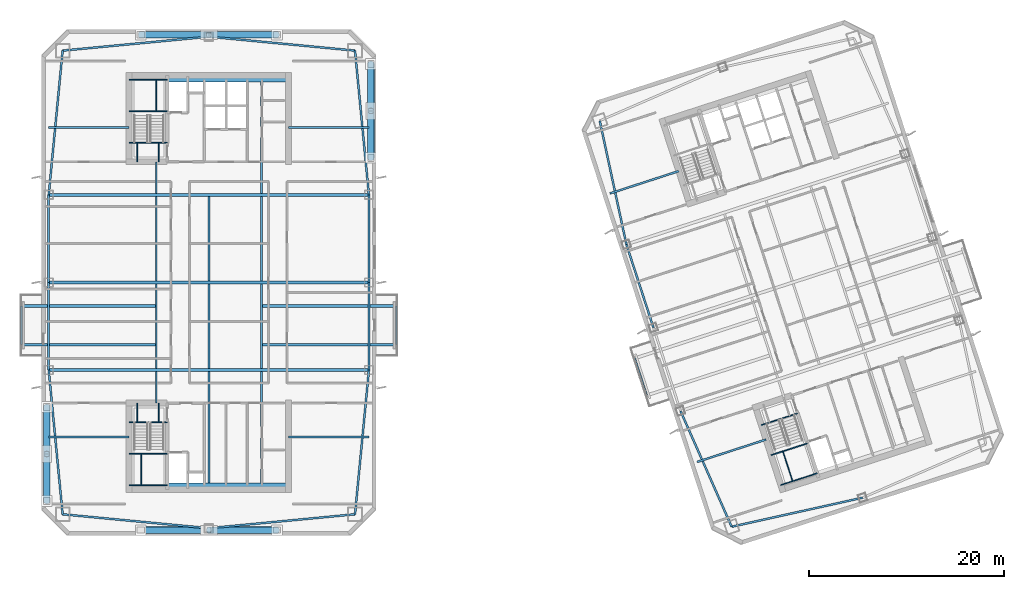
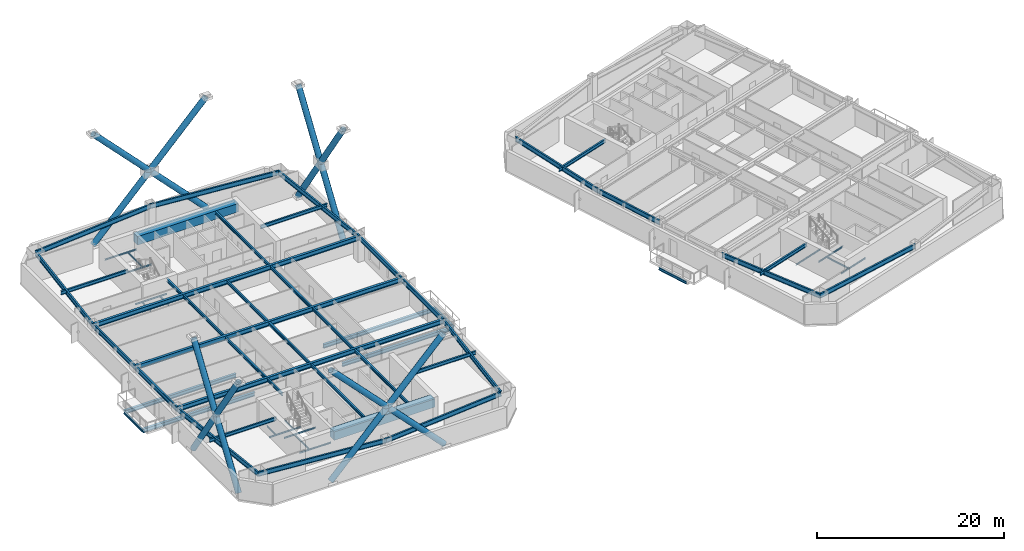
# One storey, part 3 of 18: 61 beams, 16 members.
"""IFC4 building model written with IfcOpenShell, lengths in metres."""

import ifcopenshell
import ifcopenshell.guid

model = None  # the IFC model being written
_history = None  # IfcOwnerHistory: only IFC2X3 demands one
_inside = {}  # id of a spatial element -> (the spatial element, [elements in it])
_under = {}  # id of a project, library or spatial element -> (it, [spatial elements below it])
_declared = {}  # id of a project -> (the project, [libraries it declares])
_typed = {}  # id of a type object -> (the type object, [elements of that type])
_made_of = {}  # id of a material, layer set ... -> (it, [elements and type objects made of it])


def new_model(schema):
    """Start an empty IFC model of exactly this schema.

    Asked for "IFC4X3", IfcOpenShell would pick the latest addendum, in which some entities
    have other attributes; the version numbers below select the first issue.
    IFC2X3 requires an IfcOwnerHistory on every rooted entity: one is made here for all.
    """
    global model, _history
    if schema == "IFC4X3":
        model = ifcopenshell.file(schema_version=(4, 3, 0, 0))
    else:
        model = ifcopenshell.file(schema=schema)
    _inside.clear()
    _under.clear()
    _declared.clear()
    _typed.clear()
    _made_of.clear()
    _history = None
    if model.schema == "IFC2X3":
        org = make("IfcOrganization", Name="unknown")
        user = make(
            "IfcPersonAndOrganization",
            ThePerson=make("IfcPerson", FamilyName="unknown"),
            TheOrganization=org,
        )
        app = make(
            "IfcApplication",
            ApplicationDeveloper=org,
            Version="unknown",
            ApplicationFullName="unknown",
            ApplicationIdentifier="unknown",
        )
        _history = make(
            "IfcOwnerHistory",
            OwningUser=user,
            OwningApplication=app,
            ChangeAction="ADDED",
            CreationDate=0,
        )
    return model


def make(cls, **values):
    """One entity of the class cls with the attributes given. An attribute that is None is left unset."""
    return model.create_entity(
        cls, **{name: value for name, value in values.items() if value is not None}
    )


def rooted(cls, **values):
    """An entity with a GlobalId (a new one), such as an element, a storey or a relation."""
    return make(cls, GlobalId=ifcopenshell.guid.new(), OwnerHistory=_history, **values)


def si_unit(unit_type, name, prefix=None):
    """IfcSIUnit, for example si_unit("LENGTHUNIT", "METRE", prefix="MILLI")."""
    return make("IfcSIUnit", UnitType=unit_type, Prefix=prefix, Name=name)


def assignment(units):
    """IfcUnitAssignment: the units of a project."""
    return None if units is None else make("IfcUnitAssignment", Units=units)


def point(xyz):
    """IfcCartesianPoint."""
    return None if xyz is None else make("IfcCartesianPoint", Coordinates=xyz)


def direction(xyz):
    """IfcDirection."""
    return None if xyz is None else make("IfcDirection", DirectionRatios=xyz)


def frame(location, z_axis=None, x_axis=None):
    """IfcAxis2Placement3D, a coordinate frame: its origin and axes. An axis left out is left unset."""
    return make(
        "IfcAxis2Placement3D",
        Location=point(location),
        Axis=direction(z_axis),
        RefDirection=direction(x_axis),
    )


def frame_2d(location, x_axis=None):
    """IfcAxis2Placement2D, a coordinate frame in the plane: its origin and x axis."""
    return make(
        "IfcAxis2Placement2D", Location=point(location), RefDirection=direction(x_axis)
    )


def origin():
    """The frame at (0, 0, 0) with its axes left unset."""
    return frame((0.0, 0.0, 0.0))


def origin_2d():
    """The frame at (0, 0) in the plane with its x axis left unset."""
    return frame_2d((0.0, 0.0))


def place(relative_to, where):
    """IfcLocalPlacement: puts the frame where relative to a parent placement (None: the world)."""
    return make(
        "IfcLocalPlacement", PlacementRelTo=relative_to, RelativePlacement=where
    )


def context(
    kind, dimensions, precision=None, world=None, true_north=None, identifier=None
):
    """IfcGeometricRepresentationContext, for example the 3D "Model" context."""
    return make(
        "IfcGeometricRepresentationContext",
        ContextIdentifier=identifier,
        ContextType=kind,
        CoordinateSpaceDimension=dimensions,
        Precision=precision,
        WorldCoordinateSystem=world,
        TrueNorth=true_north,
    )


def subcontext(parent, identifier, kind, view, scale=None):
    """IfcGeometricRepresentationSubContext, for example "Body" below "Model"."""
    return make(
        "IfcGeometricRepresentationSubContext",
        ContextIdentifier=identifier,
        ContextType=kind,
        ParentContext=parent,
        TargetScale=scale,
        TargetView=view,
    )


def project(units=None, contexts=None):
    """IfcProject with its units and contexts."""
    return rooted(
        "IfcProject",
        Name="project",
        RepresentationContexts=contexts,
        UnitsInContext=assignment(units),
    )


def spatial(cls, under=None, at=None, **own):
    """A site, building, storey or space (cls), placed at a placement, below another one or the project."""
    s = rooted(cls, ObjectPlacement=at, **own)
    if under is not None:
        _under.setdefault(under.id(), (under, []))[1].append(s)
    return s


def profile(cls, at=None, kind="AREA", **sizes):
    """A parametric profile (cls). Its sizes go by their IFC names, for example OverallWidth=200.0."""
    return make(cls, ProfileType=kind, Position=at, **sizes)


def rectangle(**sizes):
    """IfcRectangleProfileDef."""
    return profile("IfcRectangleProfileDef", **sizes)


def hollow_circle(**sizes):
    """IfcCircleHollowProfileDef."""
    return profile("IfcCircleHollowProfileDef", **sizes)


def i_section(**sizes):
    """IfcIShapeProfileDef."""
    return profile("IfcIShapeProfileDef", **sizes)


def extrude(swept, where, along, depth):
    """IfcExtrudedAreaSolid: the profile swept, set in the frame where, extruded along a direction by depth."""
    return make(
        "IfcExtrudedAreaSolid",
        SweptArea=swept,
        Position=where,
        ExtrudedDirection=direction(along),
        Depth=depth,
    )


def shape(context_of_items, identifier, shape_type, items):
    """IfcShapeRepresentation: the items that make up one representation, for example the "Body"."""
    return make(
        "IfcShapeRepresentation",
        ContextOfItems=context_of_items,
        RepresentationIdentifier=identifier,
        RepresentationType=shape_type,
        Items=items,
    )


def material(Name=None, Category=None):
    """IfcMaterial."""
    return make("IfcMaterial", Name=Name, Category=Category)


def material_profile(
    of_material, cross_section, Name=None, Category=None, Priority=None
):
    """IfcMaterialProfile: a cross section and its material."""
    return make(
        "IfcMaterialProfile",
        Name=Name,
        Material=of_material,
        Profile=cross_section,
        Priority=Priority,
        Category=Category,
    )


def profile_set(profiles, Name=None, composite=None):
    """IfcMaterialProfileSet."""
    return make(
        "IfcMaterialProfileSet",
        Name=Name,
        MaterialProfiles=profiles,
        CompositeProfile=composite,
    )


def made_of(thing, what):
    """Note that an element or type object is made of a material, layer set ...; save() writes the relation."""
    if what is not None:
        _made_of.setdefault(what.id(), (what, []))[1].append(thing)
    return thing


def type_object(cls, material=None, **own):
    """A type object (cls), such as IfcWallType, which elements share."""
    return made_of(rooted(cls, **own), material)


def element(
    cls,
    number,
    at=None,
    inside=None,
    cuts=None,
    type_object=None,
    material=None,
    context=None,
    identifier="Body",
    shape_type=None,
    held_by="IfcProductDefinitionShape",
    body=None,
    shapes=None,
    **own,
):
    """One element of the class cls, such as IfcWall. Its Tag is "e" and its number.

    at: its placement. inside: the storey or other place that contains it. cuts: it is an
    opening in that element (IfcRelVoidsElement). A single representation is given by context,
    identifier, shape_type and body (its items); several are given by shapes. held_by: the class
    of the entity that holds the representations. save() writes the other relations.
    """
    e = rooted(cls, Tag="e%d" % number, ObjectPlacement=at, **own)
    if body is not None:
        shapes = [shape(context, identifier, shape_type, body)]
    if shapes is not None:
        e.Representation = make(held_by, Representations=shapes)
    if inside is not None:
        _inside.setdefault(inside.id(), (inside, []))[1].append(e)
    if cuts is not None:
        rooted(
            "IfcRelVoidsElement", RelatingBuildingElement=cuts, RelatedOpeningElement=e
        )
    if type_object is not None:
        _typed.setdefault(type_object.id(), (type_object, []))[1].append(e)
    return made_of(e, material)


def aggregate(whole, parts):
    """IfcRelAggregates: a whole, such as a stair, and the parts it consists of."""
    return rooted("IfcRelAggregates", RelatingObject=whole, RelatedObjects=parts)


def save(model, path):
    """Write the relations noted so far, then the file.

    IfcRelAggregates (storeys below a building ...), IfcRelContainedInSpatialStructure (elements
    in a storey), IfcRelDefinesByType, IfcRelAssociatesMaterial and IfcRelDeclares: one each for
    every whole, place, type object, material and project.
    """
    for whole, parts in _under.values():
        aggregate(whole, parts)
    for where, things in _inside.values():
        rooted(
            "IfcRelContainedInSpatialStructure",
            RelatedElements=things,
            RelatingStructure=where,
        )
    for kind, things in _typed.values():
        rooted("IfcRelDefinesByType", RelatedObjects=things, RelatingType=kind)
    for what, things in _made_of.values():
        rooted("IfcRelAssociatesMaterial", RelatedObjects=things, RelatingMaterial=what)
    for by, libraries in _declared.values():
        rooted("IfcRelDeclares", RelatingContext=by, RelatedDefinitions=libraries)
    model.write(path)


model = new_model("IFC4")

# Units and contexts
model_context = context("Model", 3, precision=1e-05, world=origin(), true_north=direction((0.0, 1.0)))
body_context = subcontext(model_context, "Body", "Model", "MODEL_VIEW")
ifc_project = project(units=[si_unit("LENGTHUNIT", "METRE"), si_unit("AREAUNIT", "SQUARE_METRE"), si_unit("VOLUMEUNIT", "CUBIC_METRE"), si_unit("PLANEANGLEUNIT", "RADIAN"), si_unit("MASSUNIT", "GRAM", prefix="KILO")], contexts=[model_context])

# Site, building, storey
site_placement = place(None, origin())
site = spatial("IfcSite", under=ifc_project, at=site_placement, CompositionType="ELEMENT")
building_placement = place(site_placement, origin())
building = spatial("IfcBuilding", under=site, at=building_placement, Name="Qiaolan Cultural Towers", CompositionType="ELEMENT")
storey_placement = place(building_placement, frame((0.0, 0.0, 173.64990234375)))
storey = spatial("IfcBuildingStorey", under=building, at=storey_placement, Name="L46", CompositionType="ELEMENT", Elevation=173.64990234375)

# Beams
ifc_material_1 = material(Name="Steel Q355B", Category="steel")
ifc_material_profile_1 = material_profile(ifc_material_1, i_section(OverallWidth=0.300048828125, OverallDepth=0.488037109375, WebThickness=0.010986328125, FlangeThickness=0.01806640625, at=origin_2d()), Name="HM488x300x11x18")
ifc_profile_set_1 = profile_set([ifc_material_profile_1], Name="Steel Q355B")
beam_type_1 = type_object("IfcBeamType", Name="BM-HM488x300x11x18", PredefinedType="BEAM", material=ifc_profile_set_1)
for number, where, z_axis, x_axis, name in (
    (1, (24.60009765625, 27.60009765625, -0.52392578125), (-1.0, 0.0, 0.0), (0.0, -1.0, 0.0), "L46 T1 Tree Balcony Back-Spanned Bracket Beam"),
    (2, (24.60009765625, 31.60009765625, -0.52392578125), (-1.0, 0.0, 0.0), (0.0, -1.0, 0.0), "L46 T1 Tree Balcony Back-Spanned Bracket Beam"),
    (3, (35.39990234375, 27.60009765625, -0.52392578125), (1.0, 0.0, 0.0), (0.0, 1.0, 0.0), "L46 T1 Tree Balcony Back-Spanned Bracket Beam"),
    (4, (35.39990234375, 31.60009765625, -0.52392578125), (1.0, 0.0, 0.0), (0.0, 1.0, 0.0), "L46 T1 Tree Balcony Back-Spanned Bracket Beam"),
):
    element("IfcBeam", number, at=place(storey_placement, frame(where, z_axis=z_axis, x_axis=x_axis)), inside=storey, type_object=beam_type_1, Name=name, PredefinedType="BEAM", context=body_context, shape_type="SweptSolid", body=[
        extrude(i_section(OverallWidth=0.300048828125, OverallDepth=0.488037109375, WebThickness=0.010986328125, FlangeThickness=0.01806640625, at=origin_2d()), origin(), (0.0, 0.0, 1.0), 13.85009765625),
    ])
ifc_material_2 = material(Name="Steel Q355B", Category="steel")
ifc_material_profile_2 = material_profile(ifc_material_2, i_section(OverallWidth=0.300048828125, OverallDepth=0.587890625, WebThickness=0.011962890625, FlangeThickness=0.02001953125, at=origin_2d()), Name="HM588x300x12x20")
ifc_profile_set_2 = profile_set([ifc_material_profile_2], Name="Steel Q355B")
beam_type_2 = type_object("IfcBeamType", Name="BM-HM588x300x12x20", PredefinedType="BEAM", material=ifc_profile_set_2)
for number, where, z_axis, x_axis, name in (
    (5, (13.550048828125, 25.0, 2.89599609375), (1.0, 0.0, 0.0), (0.0, 1.0, 0.0), "L46 T1 Primary Transverse Girder V1"),
    (6, (13.550048828125, 34.0, 2.89599609375), (1.0, 0.0, 0.0), (0.0, 1.0, 0.0), "L46 T1 Primary Transverse Girder V2"),
    (7, (13.550048828125, 43.0, 2.89599609375), (1.0, 0.0, 0.0), (0.0, 1.0, 0.0), "L46 T1 Primary Transverse Girder V3"),
):
    element("IfcBeam", number, at=place(storey_placement, frame(where, z_axis=z_axis, x_axis=x_axis)), inside=storey, type_object=beam_type_2, Name=name, PredefinedType="BEAM", context=body_context, shape_type="SweptSolid", body=[
        extrude(i_section(OverallWidth=0.300048828125, OverallDepth=0.587890625, WebThickness=0.011962890625, FlangeThickness=0.02001953125, at=origin_2d()), origin(), (0.0, 0.0, 1.0), 32.89990234375),
    ])
ifc_material_3 = material(Name="Steel Q355B", Category="steel")
ifc_material_profile_3 = material_profile(ifc_material_3, i_section(OverallWidth=0.175048828125, OverallDepth=0.35009765625, WebThickness=0.007080078125, FlangeThickness=0.010986328125, at=origin_2d()), Name="HN350x175x7x11")
ifc_profile_set_3 = profile_set([ifc_material_profile_3], Name="Steel Q355B")
beam_type_3 = type_object("IfcBeamType", Name="BM-JST-HN350x175x7x11", PredefinedType="JOIST", material=ifc_profile_set_3)
for number, where, z_axis, x_axis, name in (
    (8, (10.75, 27.60009765625, -0.52392578125), (0.0, 1.0, 0.0), (-1.0, 0.0, 0.0), "L46 T1 Tree Balcony Outer Edge Beam"),
    (9, (49.25, 27.60009765625, -0.52392578125), (0.0, 1.0, 0.0), (-1.0, 0.0, 0.0), "L46 T1 Tree Balcony Outer Edge Beam"),
    (10, (75.00146484375, 22.397216796875, -0.52392578125), (-0.309022586479, 0.951054699292, 0.0), (-0.951054699292, -0.309022586479, 0.0), "L46 T2 Tree Balcony Outer Edge Beam"),
):
    element("IfcBeam", number, at=place(storey_placement, frame(where, z_axis=z_axis, x_axis=x_axis)), inside=storey, type_object=beam_type_3, Name=name, PredefinedType="JOIST", context=body_context, shape_type="SweptSolid", body=[
        extrude(i_section(OverallWidth=0.175048828125, OverallDepth=0.35009765625, WebThickness=0.007080078125, FlangeThickness=0.010986328125, at=origin_2d()), origin(), (0.0, 0.0, 1.0), 4.0),
    ])
ifc_material_4 = material(Name="Steel Q355B", Category="steel")
ifc_material_profile_4 = material_profile(ifc_material_4, i_section(OverallWidth=0.199951171875, OverallDepth=0.39990234375, WebThickness=0.008056640625, FlangeThickness=0.012939453125, at=origin_2d()), Name="HN400x200x8x13")
ifc_profile_set_4 = profile_set([ifc_material_profile_4], Name="Steel Q355B")
beam_type_4 = type_object("IfcBeamType", Name="BM-JST-HN400x200x8x13", PredefinedType="JOIST", material=ifc_profile_set_4)
beam_1_placement = place(storey_placement, frame((24.60009765625, 21.60009765625, 2.989990234375), z_axis=(0.0, 1.0, 0.0), x_axis=(-1.0, 0.0, 0.0)))
element("IfcBeam", 11, at=beam_1_placement, inside=storey, type_object=beam_type_4, Name="L46 T1 Secondary Floor Joist U1-1", PredefinedType="JOIST", context=body_context, shape_type="SweptSolid", body=[
    extrude(i_section(OverallWidth=0.199951171875, OverallDepth=0.39990234375, WebThickness=0.008056640625, FlangeThickness=0.012939453125, at=origin_2d()), origin(), (0.0, 0.0, 1.0), 3.25),
])
for number, where, z_axis, x_axis, name in (
    (12, (24.60009765625, 25.14990234375, 2.989990234375), (0.0, 1.0, 0.0), (-1.0, 0.0, 0.0), "L46 T1 Secondary Floor Joist U1-2"),
    (13, (24.60009765625, 34.14990234375, 2.989990234375), (0.0, 1.0, 0.0), (-1.0, 0.0, 0.0), "L46 T1 Secondary Floor Joist U1-3"),
):
    element("IfcBeam", number, at=place(storey_placement, frame(where, z_axis=z_axis, x_axis=x_axis)), inside=storey, type_object=beam_type_4, Name=name, PredefinedType="JOIST", context=body_context, shape_type="SweptSolid", body=[
        extrude(i_section(OverallWidth=0.199951171875, OverallDepth=0.39990234375, WebThickness=0.008056640625, FlangeThickness=0.012939453125, at=origin_2d()), origin(), (0.0, 0.0, 1.0), 8.7001953125),
    ])
beam_2_placement = place(storey_placement, frame((24.60009765625, 43.14990234375, 2.989990234375), z_axis=(0.0, 1.0, 0.0), x_axis=(-1.0, 0.0, 0.0)))
element("IfcBeam", 14, at=beam_2_placement, inside=storey, type_object=beam_type_4, Name="L46 T1 Secondary Floor Joist U1-4", PredefinedType="JOIST", context=body_context, shape_type="SweptSolid", body=[
    extrude(i_section(OverallWidth=0.199951171875, OverallDepth=0.39990234375, WebThickness=0.008056640625, FlangeThickness=0.012939453125, at=origin_2d()), origin(), (0.0, 0.0, 1.0), 3.25),
])
beam_3_placement = place(storey_placement, frame((30.0, 13.39990234375, 2.989990234375), z_axis=(0.0, 1.0, 0.0), x_axis=(-1.0, 0.0, 0.0)))
element("IfcBeam", 15, at=beam_3_placement, inside=storey, type_object=beam_type_4, Name="L46 T1 Secondary Floor Joist U2-1", PredefinedType="JOIST", context=body_context, shape_type="SweptSolid", body=[
    extrude(i_section(OverallWidth=0.199951171875, OverallDepth=0.39990234375, WebThickness=0.008056640625, FlangeThickness=0.012939453125, at=origin_2d()), origin(), (0.0, 0.0, 1.0), 11.4501953125),
])
for number, where, z_axis, x_axis, name in (
    (16, (30.0, 25.14990234375, 2.989990234375), (0.0, 1.0, 0.0), (-1.0, 0.0, 0.0), "L46 T1 Secondary Floor Joist U2-2"),
    (17, (30.0, 34.14990234375, 2.989990234375), (0.0, 1.0, 0.0), (-1.0, 0.0, 0.0), "L46 T1 Secondary Floor Joist U2-3"),
):
    element("IfcBeam", number, at=place(storey_placement, frame(where, z_axis=z_axis, x_axis=x_axis)), inside=storey, type_object=beam_type_4, Name=name, PredefinedType="JOIST", context=body_context, shape_type="SweptSolid", body=[
        extrude(i_section(OverallWidth=0.199951171875, OverallDepth=0.39990234375, WebThickness=0.008056640625, FlangeThickness=0.012939453125, at=origin_2d()), origin(), (0.0, 0.0, 1.0), 8.7001953125),
    ])
beam_4_placement = place(storey_placement, frame((35.39990234375, 13.39990234375, 2.989990234375), z_axis=(0.0, 1.0, 0.0), x_axis=(-1.0, 0.0, 0.0)))
element("IfcBeam", 18, at=beam_4_placement, inside=storey, type_object=beam_type_4, Name="L46 T1 Secondary Floor Joist U3-1", PredefinedType="JOIST", context=body_context, shape_type="SweptSolid", body=[
    extrude(i_section(OverallWidth=0.199951171875, OverallDepth=0.39990234375, WebThickness=0.008056640625, FlangeThickness=0.012939453125, at=origin_2d()), origin(), (0.0, 0.0, 1.0), 11.4501953125),
])
for number, where, z_axis, x_axis, name in (
    (19, (35.39990234375, 25.14990234375, 2.989990234375), (0.0, 1.0, 0.0), (-1.0, 0.0, 0.0), "L46 T1 Secondary Floor Joist U3-2"),
    (20, (35.39990234375, 34.14990234375, 2.989990234375), (0.0, 1.0, 0.0), (-1.0, 0.0, 0.0), "L46 T1 Secondary Floor Joist U3-3"),
):
    element("IfcBeam", number, at=place(storey_placement, frame(where, z_axis=z_axis, x_axis=x_axis)), inside=storey, type_object=beam_type_4, Name=name, PredefinedType="JOIST", context=body_context, shape_type="SweptSolid", body=[
        extrude(i_section(OverallWidth=0.199951171875, OverallDepth=0.39990234375, WebThickness=0.008056640625, FlangeThickness=0.012939453125, at=origin_2d()), origin(), (0.0, 0.0, 1.0), 8.7001953125),
    ])
beam_5_placement = place(storey_placement, frame((35.39990234375, 43.14990234375, 2.989990234375), z_axis=(0.0, 1.0, 0.0), x_axis=(-1.0, 0.0, 0.0)))
element("IfcBeam", 21, at=beam_5_placement, inside=storey, type_object=beam_type_4, Name="L46 T1 Secondary Floor Joist U3-4", PredefinedType="JOIST", context=body_context, shape_type="SweptSolid", body=[
    extrude(i_section(OverallWidth=0.199951171875, OverallDepth=0.39990234375, WebThickness=0.008056640625, FlangeThickness=0.012939453125, at=origin_2d()), origin(), (0.0, 0.0, 1.0), 11.4501953125),
])
ifc_material_5 = material(Name="Steel Q355B", Category="steel")
ifc_material_profile_5 = material_profile(ifc_material_5, i_section(OverallWidth=0.199951171875, OverallDepth=0.449951171875, WebThickness=0.009033203125, FlangeThickness=0.013916015625, at=origin_2d()), Name="HN450x200x9x14")
ifc_profile_set_5 = profile_set([ifc_material_profile_5], Name="Steel Q355B")
beam_type_5 = type_object("IfcBeamType", Name="BM-LNT-HN450x200x9x14", PredefinedType="LINTEL", material=ifc_profile_set_5)
for number, where, z_axis, x_axis, name in (
    (22, (21.800048828125, 18.10009765625, 2.965087890625), (-1.0, 0.0, 0.0), (0.0, -1.0, 0.0), "L46 T1 Core Flank Tie Lintel WS"),
    (23, (21.800048828125, 49.89990234375, 2.965087890625), (-1.0, 0.0, 0.0), (0.0, -1.0, 0.0), "L46 T1 Core Flank Tie Lintel WN"),
    (24, (38.199951171875, 18.10009765625, 2.965087890625), (1.0, 0.0, 0.0), (0.0, 1.0, 0.0), "L46 T1 Core Flank Tie Lintel ES"),
    (25, (38.199951171875, 49.89990234375, 2.965087890625), (1.0, 0.0, 0.0), (0.0, 1.0, 0.0), "L46 T1 Core Flank Tie Lintel EN"),
):
    element("IfcBeam", number, at=place(storey_placement, frame(where, z_axis=z_axis, x_axis=x_axis)), inside=storey, type_object=beam_type_5, Name=name, PredefinedType="LINTEL", context=body_context, shape_type="SweptSolid", body=[
        extrude(i_section(OverallWidth=0.199951171875, OverallDepth=0.449951171875, WebThickness=0.009033203125, FlangeThickness=0.013916015625, at=origin_2d()), origin(), (0.0, 0.0, 1.0), 8.25),
    ])
beam_6_placement = place(storey_placement, frame((87.252685546875, 17.861083984375, 2.965087890625), z_axis=(-0.951064407856, -0.308992705592, 0.0), x_axis=(0.308992705592, -0.951064407856, 0.0)))
element("IfcBeam", 26, at=beam_6_placement, inside=storey, type_object=beam_type_5, Name="L46 T2 Core Flank Tie Lintel WS", PredefinedType="LINTEL", context=body_context, shape_type="SweptSolid", body=[
    extrude(i_section(OverallWidth=0.199951171875, OverallDepth=0.449951171875, WebThickness=0.009033203125, FlangeThickness=0.013916015625, at=origin_2d()), origin(), (0.0, 0.0, 1.0), 7.449951171875),
])
beam_7_placement = place(storey_placement, frame((78.291259765625, 45.44189453125, 2.965087890625), z_axis=(-0.951054777171, -0.309022346796, 0.0), x_axis=(0.309022346796, -0.951054777171, 0.0)))
element("IfcBeam", 27, at=beam_7_placement, inside=storey, type_object=beam_type_5, Name="L46 T2 Core Flank Tie Lintel WN", PredefinedType="LINTEL", context=body_context, shape_type="SweptSolid", body=[
    extrude(i_section(OverallWidth=0.199951171875, OverallDepth=0.449951171875, WebThickness=0.009033203125, FlangeThickness=0.013916015625, at=origin_2d()), origin(), (0.0, 0.0, 1.0), 7.4501953125),
])
ifc_material_6 = material(Name="Concrete C50", Category="concrete")
ifc_material_profile_6 = material_profile(ifc_material_6, rectangle(XDim=0.89990234375, YDim=1.10009765625, at=origin_2d()), Name="RC900x1100")
ifc_profile_set_6 = profile_set([ifc_material_profile_6], Name="Concrete C50")
beam_type_6 = type_object("IfcBeamType", Name="BM-RC900x1100", PredefinedType="BEAM", material=ifc_profile_set_6)
for number, where, z_axis, x_axis, name in (
    (28, (25.719970703125, 12.949951171875, 2.64013671875), (1.0, 0.0, 0.0), (0.0, 1.0, 0.0), "L46 T1 Core Header Girder S"),
    (29, (25.719970703125, 55.050048828125, 2.64013671875), (1.0, 0.0, 0.0), (0.0, 1.0, 0.0), "L46 T1 Core Header Girder N"),
):
    element("IfcBeam", number, at=place(storey_placement, frame(where, z_axis=z_axis, x_axis=x_axis)), inside=storey, type_object=beam_type_6, Name=name, PredefinedType="BEAM", context=body_context, shape_type="SweptSolid", body=[
        extrude(rectangle(XDim=0.89990234375, YDim=1.10009765625, at=origin_2d()), origin(), (0.0, 0.0, 1.0), 12.47998046875),
    ])
ifc_material_7 = material(Name="Steel Q355B", Category="steel")
ifc_material_profile_7 = material_profile(ifc_material_7, i_section(OverallWidth=0.199951171875, OverallDepth=0.60009765625, WebThickness=0.010986328125, FlangeThickness=0.01708984375, at=origin_2d()), Name="HN600x200x11x17")
ifc_profile_set_7 = profile_set([ifc_material_profile_7], Name="Steel Q355B")
beam_type_7 = type_object("IfcBeamType", Name="BM-SPD-HN600x200x11x17", PredefinedType="SPANDREL", material=ifc_profile_set_7)
for number, where, z_axis, x_axis, name in (
    (30, (14.97998046875, 10.179931640625, 2.89013671875), (0.995498889995, -0.094773203061, 0.0), (0.094773203061, 0.995498889995, 0.0), "L46 T1 Perimeter Spandrel Beam 1"),
    (31, (30.0, 8.75, 2.89013671875), (0.995498889995, 0.094773203061, 0.0), (-0.094773203061, 0.995498889995, 0.0), "L46 T1 Perimeter Spandrel Beam 2"),
):
    element("IfcBeam", number, at=place(storey_placement, frame(where, z_axis=z_axis, x_axis=x_axis)), inside=storey, type_object=beam_type_7, Name=name, PredefinedType="SPANDREL", context=body_context, shape_type="SweptSolid", body=[
        extrude(i_section(OverallWidth=0.199951171875, OverallDepth=0.60009765625, WebThickness=0.010986328125, FlangeThickness=0.01708984375, at=origin_2d()), origin(), (0.0, 0.0, 1.0), 15.087890625),
    ])
beam_8_placement = place(storey_placement, frame((45.02001953125, 10.179931640625, 2.89013671875), z_axis=(0.096040159186, 0.995377459974, 0.0), x_axis=(-0.995377459974, 0.096040159186, 0.0)))
element("IfcBeam", 32, at=beam_8_placement, inside=storey, type_object=beam_type_7, Name="L46 T1 Perimeter Spandrel Beam 3", PredefinedType="SPANDREL", context=body_context, shape_type="SweptSolid", body=[
    extrude(i_section(OverallWidth=0.199951171875, OverallDepth=0.60009765625, WebThickness=0.010986328125, FlangeThickness=0.01708984375, at=origin_2d()), origin(), (0.0, 0.0, 1.0), 14.888916015625),
])
for number, where, z_axis, x_axis, name in (
    (33, (46.449951171875, 25.0, 2.89013671875), (0.0, 1.0, 0.0), (-1.0, 0.0, 0.0), "L46 T1 Perimeter Spandrel Beam 4"),
    (34, (46.449951171875, 34.0, 2.89013671875), (0.0, 1.0, 0.0), (-1.0, 0.0, 0.0), "L46 T1 Perimeter Spandrel Beam 5"),
):
    element("IfcBeam", number, at=place(storey_placement, frame(where, z_axis=z_axis, x_axis=x_axis)), inside=storey, type_object=beam_type_7, Name=name, PredefinedType="SPANDREL", context=body_context, shape_type="SweptSolid", body=[
        extrude(i_section(OverallWidth=0.199951171875, OverallDepth=0.60009765625, WebThickness=0.010986328125, FlangeThickness=0.01708984375, at=origin_2d()), origin(), (0.0, 0.0, 1.0), 9.0),
    ])
beam_9_placement = place(storey_placement, frame((46.449951171875, 43.0, 2.89013671875), z_axis=(-0.096040159186, 0.995377459974, 0.0), x_axis=(-0.995377459974, -0.096040159186, 0.0)))
element("IfcBeam", 35, at=beam_9_placement, inside=storey, type_object=beam_type_7, Name="L46 T1 Perimeter Spandrel Beam 6", PredefinedType="SPANDREL", context=body_context, shape_type="SweptSolid", body=[
    extrude(i_section(OverallWidth=0.199951171875, OverallDepth=0.60009765625, WebThickness=0.010986328125, FlangeThickness=0.01708984375, at=origin_2d()), origin(), (0.0, 0.0, 1.0), 14.888916015625),
])
for number, where, z_axis, x_axis, name in (
    (36, (45.02001953125, 57.820068359375, 2.89013671875), (-0.995498889995, 0.094773203061, 0.0), (-0.094773203061, -0.995498889995, 0.0), "L46 T1 Perimeter Spandrel Beam 7"),
    (37, (30.0, 59.25, 2.89013671875), (-0.995498889995, -0.094773203061, 0.0), (0.094773203061, -0.995498889995, 0.0), "L46 T1 Perimeter Spandrel Beam 8"),
):
    element("IfcBeam", number, at=place(storey_placement, frame(where, z_axis=z_axis, x_axis=x_axis)), inside=storey, type_object=beam_type_7, Name=name, PredefinedType="SPANDREL", context=body_context, shape_type="SweptSolid", body=[
        extrude(i_section(OverallWidth=0.199951171875, OverallDepth=0.60009765625, WebThickness=0.010986328125, FlangeThickness=0.01708984375, at=origin_2d()), origin(), (0.0, 0.0, 1.0), 15.087890625),
    ])
beam_10_placement = place(storey_placement, frame((14.97998046875, 57.820068359375, 2.89013671875), z_axis=(-0.096040159186, -0.995377459974, 0.0), x_axis=(0.995377459974, -0.096040159186, 0.0)))
element("IfcBeam", 38, at=beam_10_placement, inside=storey, type_object=beam_type_7, Name="L46 T1 Perimeter Spandrel Beam 9", PredefinedType="SPANDREL", context=body_context, shape_type="SweptSolid", body=[
    extrude(i_section(OverallWidth=0.199951171875, OverallDepth=0.60009765625, WebThickness=0.010986328125, FlangeThickness=0.01708984375, at=origin_2d()), origin(), (0.0, 0.0, 1.0), 14.888916015625),
])
for number, where, z_axis, x_axis, name in (
    (39, (13.550048828125, 43.0, 2.89013671875), (0.0, -1.0, 0.0), (1.0, 0.0, 0.0), "L46 T1 Perimeter Spandrel Beam 10"),
    (40, (13.550048828125, 34.0, 2.89013671875), (0.0, -1.0, 0.0), (1.0, 0.0, 0.0), "L46 T1 Perimeter Spandrel Beam 11"),
):
    element("IfcBeam", number, at=place(storey_placement, frame(where, z_axis=z_axis, x_axis=x_axis)), inside=storey, type_object=beam_type_7, Name=name, PredefinedType="SPANDREL", context=body_context, shape_type="SweptSolid", body=[
        extrude(i_section(OverallWidth=0.199951171875, OverallDepth=0.60009765625, WebThickness=0.010986328125, FlangeThickness=0.01708984375, at=origin_2d()), origin(), (0.0, 0.0, 1.0), 9.0),
    ])
beam_11_placement = place(storey_placement, frame((13.550048828125, 25.0, 2.89013671875), z_axis=(0.096040159186, -0.995377459974, 0.0), x_axis=(0.995377459974, 0.096040159186, 0.0)))
element("IfcBeam", 41, at=beam_11_placement, inside=storey, type_object=beam_type_7, Name="L46 T1 Perimeter Spandrel Beam 12", PredefinedType="SPANDREL", context=body_context, shape_type="SweptSolid", body=[
    extrude(i_section(OverallWidth=0.199951171875, OverallDepth=0.60009765625, WebThickness=0.010986328125, FlangeThickness=0.01708984375, at=origin_2d()), origin(), (0.0, 0.0, 1.0), 14.888916015625),
])
beam_12_placement = place(storey_placement, frame((83.71875, 8.900634765625, 2.89013671875), z_axis=(0.976265293399, 0.216578108094, 0.0), x_axis=(-0.216578108094, 0.976265293399, 0.0)))
element("IfcBeam", 42, at=beam_12_placement, inside=storey, type_object=beam_type_7, Name="L46 T2 Perimeter Spandrel Beam 1", PredefinedType="SPANDREL", context=body_context, shape_type="SweptSolid", body=[
    extrude(i_section(OverallWidth=0.199951171875, OverallDepth=0.60009765625, WebThickness=0.010986328125, FlangeThickness=0.01708984375, at=origin_2d()), origin(), (0.0, 0.0, 1.0), 13.793212890625),
])
beam_13_placement = place(storey_placement, frame((70.165283203125, 50.61376953125, 2.89013671875), z_axis=(0.210832241173, -0.977522258612, 0.0), x_axis=(0.977522258612, 0.210832241173, 0.0)))
element("IfcBeam", 43, at=beam_13_placement, inside=storey, type_object=beam_type_7, Name="L46 T2 Perimeter Spandrel Beam 9", PredefinedType="SPANDREL", context=body_context, shape_type="SweptSolid", body=[
    extrude(i_section(OverallWidth=0.199951171875, OverallDepth=0.60009765625, WebThickness=0.010986328125, FlangeThickness=0.01708984375, at=origin_2d()), origin(), (0.0, 0.0, 1.0), 12.997314453125),
])
beam_14_placement = place(storey_placement, frame((72.905517578125, 37.90869140625, 2.89013671875), z_axis=(0.309008170129, -0.951059383421, 0.0), x_axis=(0.951059383421, 0.309008170129, 0.0)))
element("IfcBeam", 44, at=beam_14_placement, inside=storey, type_object=beam_type_7, Name="L46 T2 Perimeter Spandrel Beam 10", PredefinedType="SPANDREL", context=body_context, shape_type="SweptSolid", body=[
    extrude(i_section(OverallWidth=0.199951171875, OverallDepth=0.60009765625, WebThickness=0.010986328125, FlangeThickness=0.01708984375, at=origin_2d()), origin(), (0.0, 0.0, 1.0), 8.999755859375),
])
beam_15_placement = place(storey_placement, frame((78.4677734375, 20.789794921875, 2.89013671875), z_axis=(0.404011070002, -0.914754095545, 0.0), x_axis=(0.914754095545, 0.404011070002, 0.0)))
element("IfcBeam", 45, at=beam_15_placement, inside=storey, type_object=beam_type_7, Name="L46 T2 Perimeter Spandrel Beam 12", PredefinedType="SPANDREL", context=body_context, shape_type="SweptSolid", body=[
    extrude(i_section(OverallWidth=0.199951171875, OverallDepth=0.60009765625, WebThickness=0.010986328125, FlangeThickness=0.01708984375, at=origin_2d()), origin(), (0.0, 0.0, 1.0), 12.9970703125),
])
ifc_material_8 = material(Name="Steel Q355B", Category="steel")
ifc_material_profile_8 = material_profile(ifc_material_8, i_section(OverallWidth=0.10009765625, OverallDepth=0.199951171875, WebThickness=0.005615234375, FlangeThickness=0.008056640625, at=origin_2d()), Name="HN200x100x5.5x8")
ifc_profile_set_8 = profile_set([ifc_material_profile_8], Name="Steel Q355B")
beam_type_8 = type_object("IfcBeamType", Name="BM-STTRIM-200", PredefinedType="BEAM", material=ifc_profile_set_8)
beam_16_placement = place(storey_placement, frame((21.800048828125, 19.659912109375, -0.4599609375), z_axis=(1.0, 0.0, 0.0), x_axis=(0.0, 1.0, 0.0)))
element("IfcBeam", 46, at=beam_16_placement, inside=storey, type_object=beam_type_8, Name="L46 ST-W1 Floor Landing Header Beam", PredefinedType="BEAM", context=body_context, shape_type="SweptSolid", body=[
    extrude(i_section(OverallWidth=0.10009765625, OverallDepth=0.199951171875, WebThickness=0.005615234375, FlangeThickness=0.008056640625, at=origin_2d()), origin(), (0.0, 0.0, 1.0), 3.919921875),
])
for number, where, z_axis, x_axis, name in (
    (47, (22.64990234375, 21.60009765625, -0.4599609375), (0.0, -1.0, 0.0), (1.0, 0.0, 0.0), "L46 ST-W1 Floor Landing Stringer 1"),
    (48, (24.85009765625, 21.60009765625, -0.4599609375), (0.0, -1.0, 0.0), (1.0, 0.0, 0.0), "L46 ST-W1 Floor Landing Stringer 2"),
):
    element("IfcBeam", number, at=place(storey_placement, frame(where, z_axis=z_axis, x_axis=x_axis)), inside=storey, type_object=beam_type_8, Name=name, PredefinedType="BEAM", context=body_context, shape_type="SweptSolid", body=[
        extrude(i_section(OverallWidth=0.10009765625, OverallDepth=0.199951171875, WebThickness=0.005615234375, FlangeThickness=0.008056640625, at=origin_2d()), origin(), (0.0, 0.0, 1.0), 1.940185546875),
    ])
for number, where, z_axis, x_axis, name in (
    (49, (21.800048828125, 16.411376953125, 1.425048828125), (1.0, 0.0, 0.0), (0.0, 1.0, 0.0), "L46 ST-W1 Stair Landing Support Beam 1-1"),
    (50, (21.800048828125, 13.179931640625, 1.425048828125), (1.0, 0.0, 0.0), (0.0, 1.0, 0.0), "L46 ST-W1 Stair Landing Support Beam 1-2"),
):
    element("IfcBeam", number, at=place(storey_placement, frame(where, z_axis=z_axis, x_axis=x_axis)), inside=storey, type_object=beam_type_8, Name=name, PredefinedType="BEAM", context=body_context, shape_type="SweptSolid", body=[
        extrude(i_section(OverallWidth=0.10009765625, OverallDepth=0.199951171875, WebThickness=0.005615234375, FlangeThickness=0.008056640625, at=origin_2d()), origin(), (0.0, 0.0, 1.0), 3.919921875),
    ])
beam_17_placement = place(storey_placement, frame((23.070068359375, 16.411376953125, 1.425048828125), z_axis=(0.0, -1.0, 0.0), x_axis=(1.0, 0.0, 0.0)))
element("IfcBeam", 51, at=beam_17_placement, inside=storey, type_object=beam_type_8, Name="L46 ST-W1 Stair Landing Trimmer 1", PredefinedType="BEAM", context=body_context, shape_type="SweptSolid", body=[
    extrude(i_section(OverallWidth=0.10009765625, OverallDepth=0.199951171875, WebThickness=0.005615234375, FlangeThickness=0.008056640625, at=origin_2d()), origin(), (0.0, 0.0, 1.0), 3.2314453125),
])
beam_18_placement = place(storey_placement, frame((21.800048828125, 48.340087890625, -0.4599609375), z_axis=(1.0, 0.0, 0.0), x_axis=(0.0, 1.0, 0.0)))
element("IfcBeam", 52, at=beam_18_placement, inside=storey, type_object=beam_type_8, Name="L46 ST-W2 Floor Landing Header Beam", PredefinedType="BEAM", context=body_context, shape_type="SweptSolid", body=[
    extrude(i_section(OverallWidth=0.10009765625, OverallDepth=0.199951171875, WebThickness=0.005615234375, FlangeThickness=0.008056640625, at=origin_2d()), origin(), (0.0, 0.0, 1.0), 3.919921875),
])
for number, where, z_axis, x_axis, name in (
    (53, (22.64990234375, 46.39990234375, -0.4599609375), (0.0, 1.0, 0.0), (-1.0, 0.0, 0.0), "L46 ST-W2 Floor Landing Stringer 1"),
    (54, (24.85009765625, 46.39990234375, -0.4599609375), (0.0, 1.0, 0.0), (-1.0, 0.0, 0.0), "L46 ST-W2 Floor Landing Stringer 2"),
):
    element("IfcBeam", number, at=place(storey_placement, frame(where, z_axis=z_axis, x_axis=x_axis)), inside=storey, type_object=beam_type_8, Name=name, PredefinedType="BEAM", context=body_context, shape_type="SweptSolid", body=[
        extrude(i_section(OverallWidth=0.10009765625, OverallDepth=0.199951171875, WebThickness=0.005615234375, FlangeThickness=0.008056640625, at=origin_2d()), origin(), (0.0, 0.0, 1.0), 1.940185546875),
    ])
for number, where, z_axis, x_axis, name in (
    (55, (21.800048828125, 51.588623046875, 1.425048828125), (1.0, 0.0, 0.0), (0.0, 1.0, 0.0), "L46 ST-W2 Stair Landing Support Beam 1-1"),
    (56, (21.800048828125, 54.820068359375, 1.425048828125), (1.0, 0.0, 0.0), (0.0, 1.0, 0.0), "L46 ST-W2 Stair Landing Support Beam 1-2"),
):
    element("IfcBeam", number, at=place(storey_placement, frame(where, z_axis=z_axis, x_axis=x_axis)), inside=storey, type_object=beam_type_8, Name=name, PredefinedType="BEAM", context=body_context, shape_type="SweptSolid", body=[
        extrude(i_section(OverallWidth=0.10009765625, OverallDepth=0.199951171875, WebThickness=0.005615234375, FlangeThickness=0.008056640625, at=origin_2d()), origin(), (0.0, 0.0, 1.0), 3.919921875),
    ])
beam_19_placement = place(storey_placement, frame((24.610107421875, 51.588623046875, 1.425048828125), z_axis=(0.0, 1.0, 0.0), x_axis=(-1.0, 0.0, 0.0)))
element("IfcBeam", 57, at=beam_19_placement, inside=storey, type_object=beam_type_8, Name="L46 ST-W2 Stair Landing Trimmer 1", PredefinedType="BEAM", context=body_context, shape_type="SweptSolid", body=[
    extrude(i_section(OverallWidth=0.10009765625, OverallDepth=0.199951171875, WebThickness=0.005615234375, FlangeThickness=0.008056640625, at=origin_2d()), origin(), (0.0, 0.0, 1.0), 3.2314453125),
])
for number, where, z_axis, x_axis, name in (
    (58, (86.770751953125, 19.3447265625, -0.4599609375), (0.951047798727, 0.309043823005, 0.0), (-0.309043823005, 0.951047798727, 0.0), "L46 ST-E1 Floor Landing Header Beam"),
    (59, (87.774658203125, 16.255126953125, 1.425048828125), (0.951047798727, 0.309043823005, 0.0), (-0.309043823005, 0.951047798727, 0.0), "L46 ST-E1 Stair Landing Support Beam 1-1"),
    (60, (88.773193359375, 13.181884765625, 1.425048828125), (0.951047798727, 0.309043823005, 0.0), (-0.309043823005, 0.951047798727, 0.0), "L46 ST-E1 Stair Landing Support Beam 1-2"),
):
    element("IfcBeam", number, at=place(storey_placement, frame(where, z_axis=z_axis, x_axis=x_axis)), inside=storey, type_object=beam_type_8, Name=name, PredefinedType="BEAM", context=body_context, shape_type="SweptSolid", body=[
        extrude(i_section(OverallWidth=0.10009765625, OverallDepth=0.199951171875, WebThickness=0.005615234375, FlangeThickness=0.008056640625, at=origin_2d()), origin(), (0.0, 0.0, 1.0), 3.919921875),
    ])
beam_20_placement = place(storey_placement, frame((88.982421875, 16.6474609375, 1.425048828125), z_axis=(0.309033108495, -0.951051280349, 0.0), x_axis=(0.951051280349, 0.309033108495, 0.0)))
element("IfcBeam", 61, at=beam_20_placement, inside=storey, type_object=beam_type_8, Name="L46 ST-E1 Stair Landing Trimmer 1", PredefinedType="BEAM", context=body_context, shape_type="SweptSolid", body=[
    extrude(i_section(OverallWidth=0.10009765625, OverallDepth=0.199951171875, WebThickness=0.005615234375, FlangeThickness=0.008056640625, at=origin_2d()), origin(), (0.0, 0.0, 1.0), 3.231201171875),
])

# Members
ifc_material_9 = material(Name="Steel Q355B", Category="steel")
ifc_material_profile_9 = material_profile(ifc_material_9, hollow_circle(Radius=0.35009765625, WallThickness=0.034912109375, at=origin_2d()), Name="CHS700x35")
ifc_profile_set_9 = profile_set([ifc_material_profile_9], Name="Steel Q355B")
member_type = type_object("IfcMemberType", Name="MBR-BRC-CHS700x35", PredefinedType="BRACE", material=ifc_profile_set_9)
for number, where, z_axis, x_axis, name in (
    (62, (13.35009765625, 11.550048828125, 0.150146484375), (0.0, 0.554033674457, 0.832494256777), (-1.0, 0.0, 0.0), "T1 WEST Perimeter Frame Diagonal W-Z3-M2-D1A"),
    (63, (13.35009765625, 16.375, 7.400146484375), (0.0, 0.554033674457, 0.832494256777), (-1.0, 0.0, 0.0), "T1 WEST Perimeter Frame Diagonal W-Z3-M2-D1B"),
    (64, (13.35009765625, 21.199951171875, 0.150146484375), (0.0, -0.554033674457, 0.832494256777), (1.0, 0.0, 0.0), "T1 WEST Perimeter Frame Diagonal W-Z3-M2-D2A"),
    (65, (13.35009765625, 16.375, 7.400146484375), (0.0, -0.554033674457, 0.832494256777), (1.0, 0.0, 0.0), "T1 WEST Perimeter Frame Diagonal W-Z3-M2-D2B"),
    (66, (46.64990234375, 46.800048828125, 0.150146484375), (0.0, 0.554033674457, 0.832494256777), (-1.0, 0.0, 0.0), "T1 EAST Perimeter Frame Diagonal W-Z3-M2-D1A"),
    (67, (46.64990234375, 51.625, 7.400146484375), (0.0, 0.554033674457, 0.832494256777), (-1.0, 0.0, 0.0), "T1 EAST Perimeter Frame Diagonal W-Z3-M2-D1B"),
    (68, (46.64990234375, 56.449951171875, 0.150146484375), (0.0, -0.554033674457, 0.832494256777), (1.0, 0.0, 0.0), "T1 EAST Perimeter Frame Diagonal W-Z3-M2-D2A"),
    (69, (46.64990234375, 51.625, 7.400146484375), (0.0, -0.554033674457, 0.832494256777), (1.0, 0.0, 0.0), "T1 EAST Perimeter Frame Diagonal W-Z3-M2-D2B"),
):
    element("IfcMember", number, at=place(storey_placement, frame(where, z_axis=z_axis, x_axis=x_axis)), inside=storey, type_object=member_type, Name=name, PredefinedType="BRACE", context=body_context, shape_type="SweptSolid", body=[
        extrude(hollow_circle(Radius=0.35009765625, WallThickness=0.034912109375, at=origin_2d()), origin(), (0.0, 0.0, 1.0), 8.708740234375),
    ])
for number, where, z_axis, x_axis, name in (
    (70, (23.0, 8.550048828125, 0.150146484375), (0.6945945137, 0.0, 0.719401460617), (0.0, 1.0, 0.0), "T1 SOUTH Perimeter Frame Diagonal W-Z3-M2-D1A"),
    (71, (30.0, 8.550048828125, 7.400146484375), (0.6945945137, 0.0, 0.719401460617), (0.0, 1.0, 0.0), "T1 SOUTH Perimeter Frame Diagonal W-Z3-M2-D1B"),
    (72, (37.0, 8.550048828125, 0.150146484375), (-0.6945945137, 0.0, 0.719401460617), (0.0, -1.0, 0.0), "T1 SOUTH Perimeter Frame Diagonal W-Z3-M2-D2A"),
    (73, (30.0, 8.550048828125, 7.400146484375), (-0.6945945137, 0.0, 0.719401460617), (0.0, -1.0, 0.0), "T1 SOUTH Perimeter Frame Diagonal W-Z3-M2-D2B"),
    (74, (23.0, 59.449951171875, 0.150146484375), (0.6945945137, 0.0, 0.719401460617), (0.0, 1.0, 0.0), "T1 NORTH Perimeter Frame Diagonal W-Z3-M2-D1A"),
    (75, (30.0, 59.449951171875, 7.400146484375), (0.6945945137, 0.0, 0.719401460617), (0.0, 1.0, 0.0), "T1 NORTH Perimeter Frame Diagonal W-Z3-M2-D1B"),
    (76, (37.0, 59.449951171875, 0.150146484375), (-0.6945945137, 0.0, 0.719401460617), (0.0, -1.0, 0.0), "T1 NORTH Perimeter Frame Diagonal W-Z3-M2-D2A"),
    (77, (30.0, 59.449951171875, 7.400146484375), (-0.6945945137, 0.0, 0.719401460617), (0.0, -1.0, 0.0), "T1 NORTH Perimeter Frame Diagonal W-Z3-M2-D2B"),
):
    element("IfcMember", number, at=place(storey_placement, frame(where, z_axis=z_axis, x_axis=x_axis)), inside=storey, type_object=member_type, Name=name, PredefinedType="BRACE", context=body_context, shape_type="SweptSolid", body=[
        extrude(hollow_circle(Radius=0.35009765625, WallThickness=0.034912109375, at=origin_2d()), origin(), (0.0, 0.0, 1.0), 10.077880859375),
    ])

save(model, "model.ifc")
